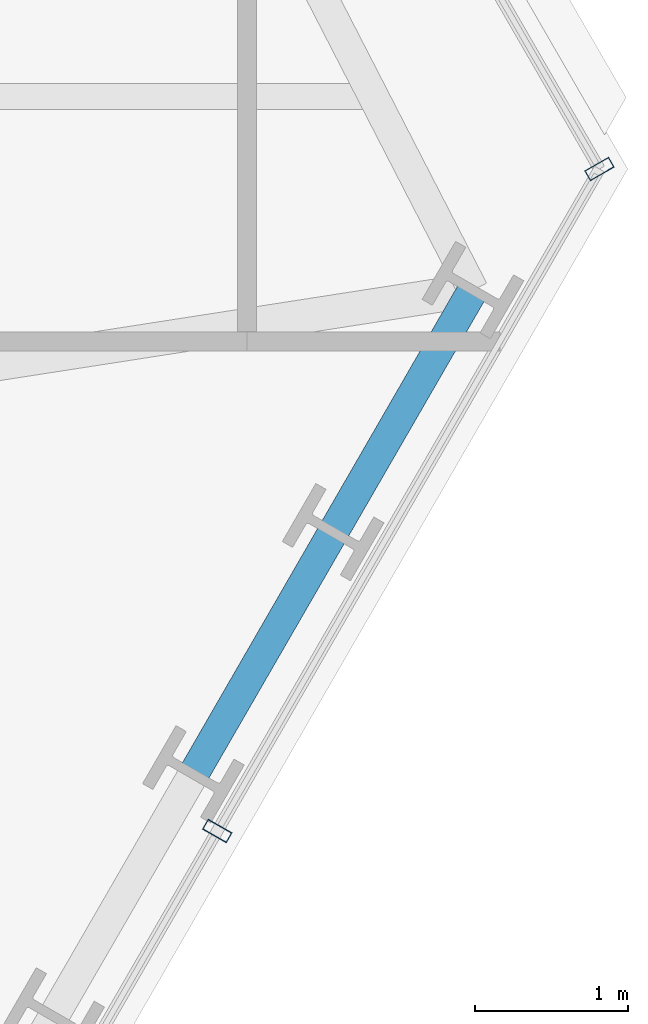
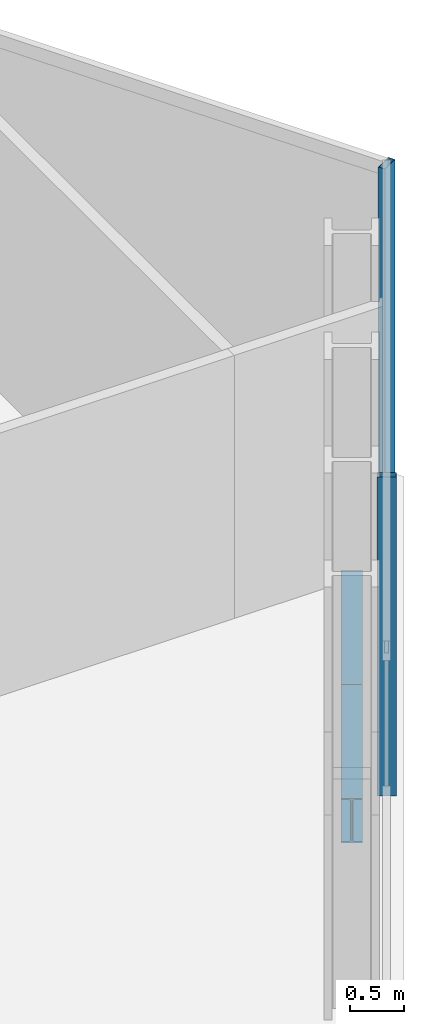
# One storey, part 18 of 32: 2 beams, 2 members, 2 elements without a shape of their own.
"""IFC4 building model written with IfcOpenShell, lengths in metres."""

from ifc_helpers import new_model, si_unit, direction, frame, origin, origin_2d, place, context, subcontext, project, spatial, hollow_rectangle, i_section, extrude, material, layer, layer_set, material_profile, profile_set, type_object, element, aggregate, save


model = new_model("IFC4")

# Units and contexts
model_context = context("Model", 3, precision=1e-05, world=origin(), true_north=direction((0.0, 1.0)))
body_context = subcontext(model_context, "Body", "Model", "MODEL_VIEW")
ifc_project = project(units=[si_unit("LENGTHUNIT", "METRE"), si_unit("AREAUNIT", "SQUARE_METRE"), si_unit("VOLUMEUNIT", "CUBIC_METRE"), si_unit("PLANEANGLEUNIT", "RADIAN"), si_unit("MASSUNIT", "GRAM", prefix="KILO")], contexts=[model_context])

# Site, building, storey
site_placement = place(None, origin())
site = spatial("IfcSite", under=ifc_project, at=site_placement, CompositionType="ELEMENT")
building_placement = place(site_placement, origin())
building = spatial("IfcBuilding", under=site, at=building_placement, Name="Ndaravel Arena Tower", CompositionType="ELEMENT")
storey_placement = place(building_placement, frame((0.0, 0.0, 70.199951171875)))
storey = spatial("IfcBuildingStorey", under=building, at=storey_placement, Name="L15", CompositionType="ELEMENT", Elevation=70.199951171875)

# Beams
ifc_material_1 = material(Name="Steel S355", Category="steel")
ifc_material_profile_1 = material_profile(ifc_material_1, i_section(OverallWidth=0.199951171875, OverallDepth=0.5, WebThickness=0.01025390625, FlangeThickness=0.01611328125, FilletRadius=0.02099609375, at=origin_2d()), Name="IPE 500")
ifc_profile_set_1 = profile_set([ifc_material_profile_1], Name="Steel S355")
beam_type = type_object("IfcBeamType", Name="BM-SPAN-IPE500", PredefinedType="SPANDREL", material=ifc_profile_set_1)
for number, where, z_axis, x_axis, name in (
    (1, (62.85009765625, 14.1748046875, -0.469970703125), (0.499907684424, 0.866078695647, 0.0), (-0.866078695647, 0.499907684424, 0.0), "L15 Perimeter Spandrel Beam SP-07"),
    (2, (63.7626953125, 15.755859375, -0.469970703125), (0.500065901226, 0.86598735235, 0.0), (-0.86598735235, 0.500065901226, 0.0), "L15 Perimeter Spandrel Beam SP-08"),
):
    element("IfcBeam", number, at=place(storey_placement, frame(where, z_axis=z_axis, x_axis=x_axis)), inside=storey, type_object=beam_type, Name=name, PredefinedType="SPANDREL", context=body_context, shape_type="SweptSolid", body=[
        extrude(i_section(OverallWidth=0.199951171875, OverallDepth=0.5, WebThickness=0.01025390625, FlangeThickness=0.01611328125, FilletRadius=0.02099609375, at=origin_2d()), origin(), (0.0, 0.0, 1.0), 1.825439453125),
    ])

# Curtain wall, member
ifc_material_2 = material(Name="Aluminium", Category="aluminium")
ifc_layer_1 = layer(ifc_material_2, 0.179931640625)
ifc_layer_set_1 = layer_set([ifc_layer_1], Name="Aluminium")
curtain_wall_type_1 = type_object("IfcCurtainWallType", Name="CW-SYS-01", PredefinedType="NOTDEFINED", material=ifc_layer_set_1)
curtain_wall_1_placement = place(storey_placement, origin())
curtain_wall_1 = element("IfcCurtainWall", 3, at=curtain_wall_1_placement, inside=storey, type_object=curtain_wall_type_1, Name="L15 Faceted Crystal Curtain Wall CW-L15-E02", PredefinedType="NOTDEFINED")
ifc_material_3 = material(Name="Aluminium", Category="aluminium")
ifc_material_profile_2 = material_profile(ifc_material_3, hollow_rectangle(XDim=0.074951171875, YDim=0.179931640625, WallThickness=0.00390625, at=origin_2d()), Name="CW MULLION 75x180x4")
ifc_profile_set_2 = profile_set([ifc_material_profile_2], Name="Aluminium")
member_type = type_object("IfcMemberType", Name="MEM-CW-MUL180", PredefinedType="MULLION", material=ifc_profile_set_2)
member_1_placement = place(storey_placement, frame((63.005859375, 13.8046875, 0.0), z_axis=(0.0, 0.0, 1.0), x_axis=(0.5, 0.866025403784, 0.0)))
member_1 = element("IfcMember", 4, at=member_1_placement, type_object=member_type, Name="CW-L15-E02 Mullion 02", PredefinedType="MULLION", context=body_context, shape_type="SweptSolid", body=[
    extrude(hollow_rectangle(XDim=0.074951171875, YDim=0.179931640625, WallThickness=0.00390625, at=origin_2d()), origin(), (0.0, 0.0, 1.0), 3.580078125),
])
aggregate(curtain_wall_1, [member_1])

ifc_material_4 = material(Name="Aluminium", Category="aluminium")
ifc_layer_2 = layer(ifc_material_4, 0.179931640625)
ifc_layer_set_2 = layer_set([ifc_layer_2], Name="Aluminium")
curtain_wall_type_2 = type_object("IfcCurtainWallType", Name="CW-SYS-03", PredefinedType="NOTDEFINED", material=ifc_layer_set_2)
curtain_wall_2_placement = place(storey_placement, origin())
curtain_wall_2 = element("IfcCurtainWall", 5, at=curtain_wall_2_placement, inside=storey, type_object=curtain_wall_type_2, Name="L15 Faceted Crystal Curtain Wall CW-L15-E03", PredefinedType="NOTDEFINED")
member_2_placement = place(storey_placement, frame((65.50146484375, 18.127197265625, 0.0), z_axis=(0.0, 0.0, 1.0), x_axis=(-0.5, 0.866025403784, 0.0)))
member_2 = element("IfcMember", 6, at=member_2_placement, type_object=member_type, Name="CW-L15-E03 Mullion 00", PredefinedType="MULLION", context=body_context, shape_type="SweptSolid", body=[
    extrude(hollow_rectangle(XDim=0.074951171875, YDim=0.179931640625, WallThickness=0.00390625, at=origin_2d()), origin(), (0.0, 0.0, 1.0), 3.580078125),
])
aggregate(curtain_wall_2, [member_2])

save(model, "model.ifc")
